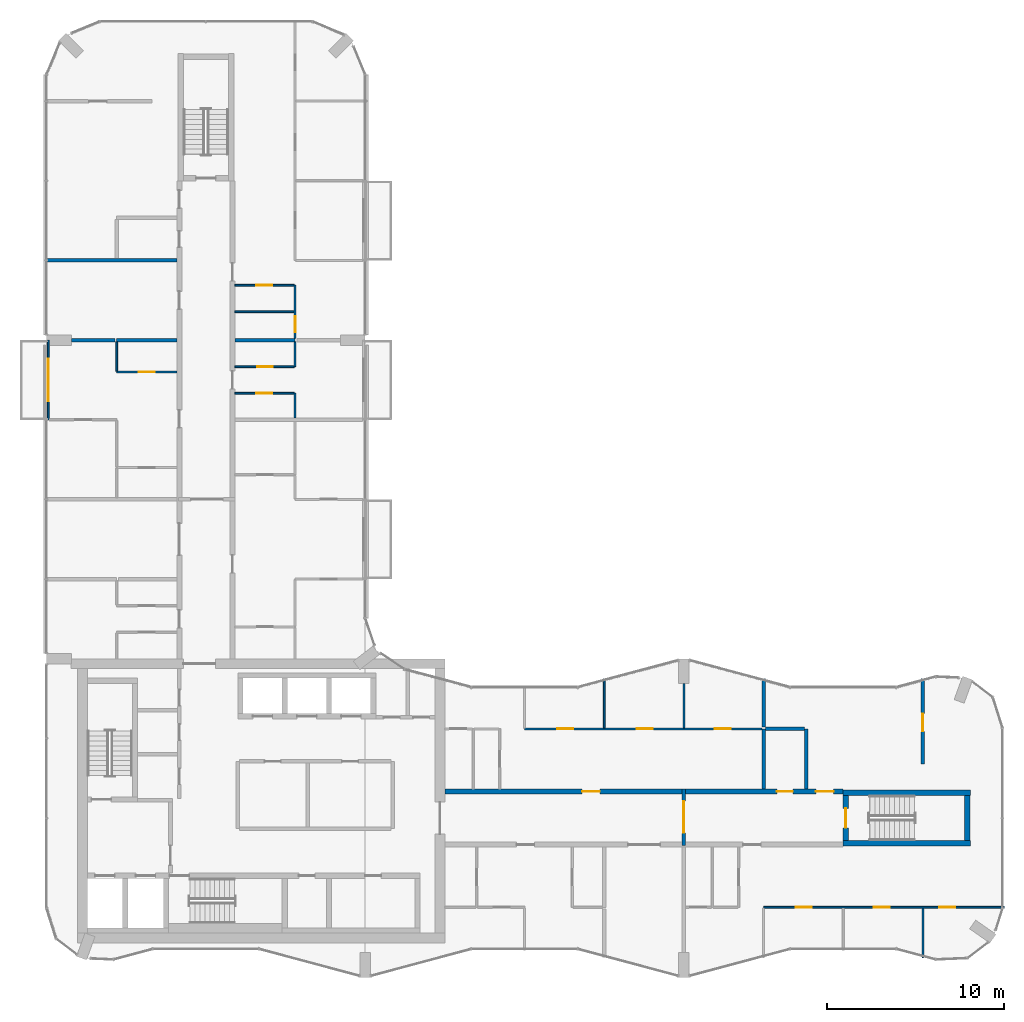
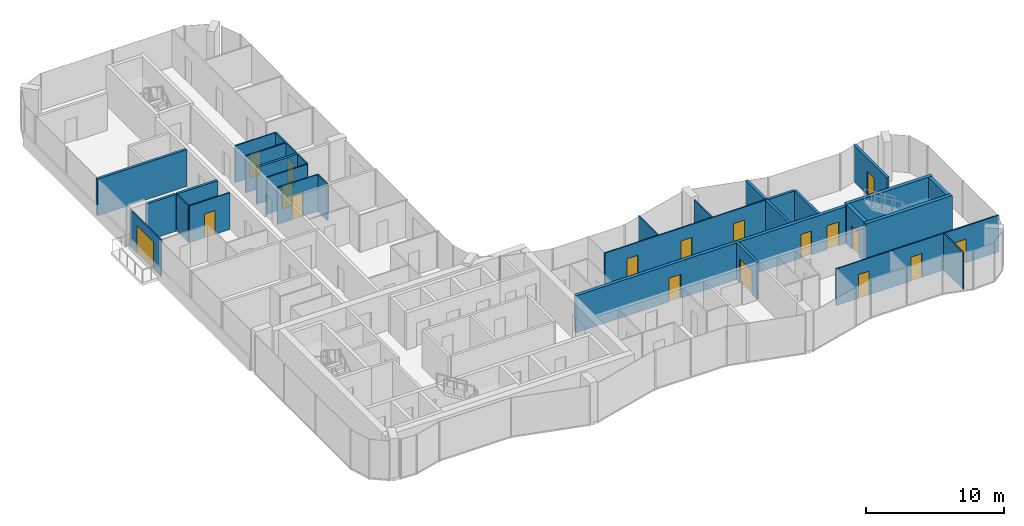
# One storey, part 12 of 15: 30 walls, 18 doors, 18 openings.
"""IFC4 building model written with IfcOpenShell, lengths in metres."""

from ifc_helpers import new_model, si_unit, direction, frame, frame_2d, origin, place, context, subcontext, project, spatial, rectangle, extrude, material, layer, layer_set, type_object, element, fill, save


model = new_model("IFC4")

# Units and contexts
model_context = context("Model", 3, precision=1e-05, world=origin(), true_north=direction((0.0, 1.0)))
body_context = subcontext(model_context, "Body", "Model", "MODEL_VIEW")
ifc_project = project(units=[si_unit("LENGTHUNIT", "METRE"), si_unit("AREAUNIT", "SQUARE_METRE"), si_unit("VOLUMEUNIT", "CUBIC_METRE"), si_unit("PLANEANGLEUNIT", "RADIAN"), si_unit("MASSUNIT", "GRAM", prefix="KILO")], contexts=[model_context])

# Site, building, storey
site_placement = place(None, origin())
site = spatial("IfcSite", under=ifc_project, at=site_placement, CompositionType="ELEMENT")
building_placement = place(site_placement, origin())
building = spatial("IfcBuilding", under=site, at=building_placement, Name="Plateau Cross Towers", CompositionType="ELEMENT")
storey_placement = place(building_placement, frame((0.0, 0.0, 201.39990234375)))
storey = spatial("IfcBuildingStorey", under=building, at=storey_placement, Name="L52", CompositionType="ELEMENT", Elevation=201.39990234375)

# Wall, opening, door
ifc_material_1 = material(Name="Aluminium framed glazing", Category="aluminium")
ifc_layer_1 = layer(ifc_material_1, 0.10009765625)
ifc_layer_set_1 = layer_set([ifc_layer_1], Name="Aluminium framed glazing")
wall_type_1 = type_object("IfcWallType", Name="Balcony screen wall 100", PredefinedType="STANDARD", material=ifc_layer_set_1)
wall_1_placement = place(storey_placement, frame((0.10009765625, 31.5, 0.0), z_axis=(0.0, 0.0, 1.0), x_axis=(0.0, 1.0, 0.0)))
wall_1 = element("IfcWall", 1, at=wall_1_placement, inside=storey, type_object=wall_type_1, Name="Balcony screen wall A-BAL-L52-01", PredefinedType="STANDARD", context=body_context, shape_type="SweptSolid", body=[
    extrude(rectangle(XDim=4.5, YDim=0.10009765625, at=frame_2d((2.25, 0.0))), origin(), (0.0, 0.0, 1.0), 3.25),
])
opening_1_placement = place(wall_1_placement, frame((1.050048828125, 0.0, 0.0)))
opening_1 = element("IfcOpeningElement", 2, at=opening_1_placement, cuts=wall_1, Name="Opening D-B24", PredefinedType="OPENING", context=body_context, shape_type="SweptSolid", body=[
    extrude(rectangle(XDim=2.39990234375, YDim=2.39990234375, at=frame_2d((1.199951171875, 1.199951171875))), frame((0.0, 0.06005859375, 0.0), z_axis=(0.0, -1.0, 0.0), x_axis=(1.0, 0.0, 0.0)), (0.0, 0.0, 1.0), 0.1201171875),
])
ifc_material_2 = material(Name="Aluminium frame, double glazing", Category="aluminium")
door_type_1 = type_object("IfcDoorType", Name="Balcony sliding door 2400", OperationType="NOTDEFINED", PredefinedType="DOOR", material=ifc_material_2)
door_1_placement = place(opening_1_placement, origin())
door_1 = element("IfcDoor", 3, at=door_1_placement, inside=storey, type_object=door_type_1, Name="Balcony door A-BAL-L52-01", OperationType="SINGLE_SWING_LEFT", OverallHeight=2.39990234375, OverallWidth=2.39990234375, PredefinedType="DOOR", context=body_context, shape_type="SweptSolid", body=[
    extrude(rectangle(XDim=2.39990234375, YDim=2.39990234375, at=frame_2d((1.199951171875, 1.199951171875))), frame((0.0, 0.02490234375, 0.0), z_axis=(0.0, -1.0, 0.0), x_axis=(1.0, 0.0, 0.0)), (0.0, 0.0, 1.0), 0.050048828125),
])
fill(opening_1, door_1)

# Wall, openings, doors
ifc_material_3 = material(Name="Concrete C60/75", Category="concrete")
ifc_layer_2 = layer(ifc_material_3, 0.27490234375)
ifc_layer_set_2 = layer_set([ifc_layer_2], Name="Concrete C60/75")
wall_type_2 = type_object("IfcWallType", Name="Corridor wall 275", PredefinedType="SHEAR", material=ifc_layer_set_2)
wall_2_placement = place(storey_placement, frame((22.5, 10.5, 0.0), z_axis=(0.0, 0.0, 1.0), x_axis=(1.0, 0.0, 0.0)))
wall_2 = element("IfcWall", 4, at=wall_2_placement, inside=storey, type_object=wall_type_2, Name="A-cw-S2@L52", PredefinedType="SHEAR", context=body_context, shape_type="SweptSolid", body=[
    extrude(rectangle(XDim=22.5, YDim=0.27490234375, at=frame_2d((11.25, 0.0))), origin(), (0.0, 0.0, 1.0), 3.25),
])
opening_2_placement = place(wall_2_placement, frame((7.75, 0.0, 0.0)))
opening_2 = element("IfcOpeningElement", 5, at=opening_2_placement, cuts=wall_2, Name="Opening 52-04", PredefinedType="OPENING", context=body_context, shape_type="SweptSolid", body=[
    extrude(rectangle(XDim=1.0, YDim=2.10009765625, at=frame_2d((0.5, 1.050048828125))), frame((0.0, 0.1474609375, 0.0), z_axis=(0.0, -1.0, 0.0), x_axis=(1.0, 0.0, 0.0)), (0.0, 0.0, 1.0), 0.294921875),
])
opening_3_placement = place(wall_2_placement, frame((18.75, 0.0, 0.0)))
opening_3 = element("IfcOpeningElement", 6, at=opening_3_placement, cuts=wall_2, Name="Opening 52-05", PredefinedType="OPENING", context=body_context, shape_type="SweptSolid", body=[
    extrude(rectangle(XDim=0.89990234375, YDim=2.10009765625, at=frame_2d((0.449951171875, 1.050048828125))), frame((0.0, 0.1474609375, 0.0), z_axis=(0.0, -1.0, 0.0), x_axis=(1.0, 0.0, 0.0)), (0.0, 0.0, 1.0), 0.294921875),
])
opening_4_placement = place(wall_2_placement, frame((20.949951171875, 0.0, 0.0)))
opening_4 = element("IfcOpeningElement", 7, at=opening_4_placement, cuts=wall_2, Name="Opening 52-06", PredefinedType="OPENING", context=body_context, shape_type="SweptSolid", body=[
    extrude(rectangle(XDim=1.0, YDim=2.10009765625, at=frame_2d((0.5, 1.050048828125))), frame((0.0, 0.1474609375, 0.0), z_axis=(0.0, -1.0, 0.0), x_axis=(1.0, 0.0, 0.0)), (0.0, 0.0, 1.0), 0.294921875),
])
ifc_material_4 = material(Name="Timber, fire-resisting leaf", Category="wood")
door_type_2 = type_object("IfcDoorType", Name="Flat entrance door 1000", OperationType="NOTDEFINED", PredefinedType="DOOR", material=ifc_material_4)
door_2_placement = place(opening_2_placement, origin())
door_2 = element("IfcDoor", 8, at=door_2_placement, inside=storey, type_object=door_type_2, Name="Door 52-04", OperationType="SINGLE_SWING_LEFT", OverallHeight=2.10009765625, OverallWidth=1.0, PredefinedType="DOOR", context=body_context, shape_type="SweptSolid", body=[
    extrude(rectangle(XDim=1.0, YDim=2.10009765625, at=frame_2d((0.5, 1.050048828125))), frame((0.0, 0.02490234375, 0.0), z_axis=(0.0, -1.0, 0.0), x_axis=(1.0, 0.0, 0.0)), (0.0, 0.0, 1.0), 0.050048828125),
])
fill(opening_2, door_2)
door_3_placement = place(opening_4_placement, origin())
door_3 = element("IfcDoor", 9, at=door_3_placement, inside=storey, type_object=door_type_2, Name="Door 52-06", OperationType="SINGLE_SWING_RIGHT", OverallHeight=2.10009765625, OverallWidth=1.0, PredefinedType="DOOR", context=body_context, shape_type="SweptSolid", body=[
    extrude(rectangle(XDim=1.0, YDim=2.10009765625, at=frame_2d((0.5, 1.050048828125))), frame((0.0, 0.02490234375, 0.0), z_axis=(0.0, -1.0, 0.0), x_axis=(1.0, 0.0, 0.0)), (0.0, 0.0, 1.0), 0.050048828125),
])
fill(opening_4, door_3)
door_type_3 = type_object("IfcDoorType", Name="Flat floor service door 900", OperationType="NOTDEFINED", PredefinedType="DOOR", material=ifc_material_4)
door_4_placement = place(opening_3_placement, origin())
door_4 = element("IfcDoor", 10, at=door_4_placement, inside=storey, type_object=door_type_3, Name="Door 52-05", OperationType="SINGLE_SWING_RIGHT", OverallHeight=2.10009765625, OverallWidth=0.89990234375, PredefinedType="DOOR", context=body_context, shape_type="SweptSolid", body=[
    extrude(rectangle(XDim=0.89990234375, YDim=2.10009765625, at=frame_2d((0.449951171875, 1.050048828125))), frame((0.0, 0.02490234375, 0.0), z_axis=(0.0, -1.0, 0.0), x_axis=(1.0, 0.0, 0.0)), (0.0, 0.0, 1.0), 0.050048828125),
])
fill(opening_3, door_4)

ifc_material_5 = material(Name="Gypsum board on steel studs", Category="steel")
ifc_layer_3 = layer(ifc_material_5, 0.10009765625)
ifc_layer_set_3 = layer_set([ifc_layer_3], Name="Gypsum board on steel studs")
wall_type_3 = type_object("IfcWallType", Name="Flat partition 100", PredefinedType="PARTITIONING", material=ifc_layer_set_3)
wall_3_placement = place(storey_placement, frame((54.080078125, 3.96240234375, 0.0), z_axis=(0.0, 0.0, 1.0), x_axis=(-1.0, 0.0, 0.0)))
wall_3 = element("IfcWall", 11, at=wall_3_placement, inside=storey, type_object=wall_type_3, Name="Partition wall", PredefinedType="PARTITIONING", context=body_context, shape_type="SweptSolid", body=[
    extrude(rectangle(XDim=13.580078125, YDim=0.10009765625, at=frame_2d((6.7900390625, 0.0))), origin(), (0.0, 0.0, 1.0), 3.25),
])
opening_5_placement = place(wall_3_placement, frame((10.85009765625, 0.0, 0.0)))
opening_5 = element("IfcOpeningElement", 12, at=opening_5_placement, cuts=wall_3, Name="Opening 52-25", PredefinedType="OPENING", context=body_context, shape_type="SweptSolid", body=[
    extrude(rectangle(XDim=0.89990234375, YDim=2.10009765625, at=frame_2d((0.449951171875, 1.050048828125))), frame((0.0, 0.06005859375, 0.0), z_axis=(0.0, -1.0, 0.0), x_axis=(1.0, 0.0, 0.0)), (0.0, 0.0, 1.0), 0.1201171875),
])
opening_6_placement = place(wall_3_placement, frame((6.449951171875, 0.0, 0.0)))
opening_6 = element("IfcOpeningElement", 13, at=opening_6_placement, cuts=wall_3, Name="Opening 52-26", PredefinedType="OPENING", context=body_context, shape_type="SweptSolid", body=[
    extrude(rectangle(XDim=0.89990234375, YDim=2.10009765625, at=frame_2d((0.449951171875, 1.050048828125))), frame((0.0, 0.06005859375, 0.0), z_axis=(0.0, -1.0, 0.0), x_axis=(1.0, 0.0, 0.0)), (0.0, 0.0, 1.0), 0.1201171875),
])
opening_7_placement = place(wall_3_placement, frame((2.75, 0.0, 0.0)))
opening_7 = element("IfcOpeningElement", 14, at=opening_7_placement, cuts=wall_3, Name="Opening 52-27", PredefinedType="OPENING", context=body_context, shape_type="SweptSolid", body=[
    extrude(rectangle(XDim=0.89990234375, YDim=2.10009765625, at=frame_2d((0.449951171875, 1.050048828125))), frame((0.0, 0.06005859375, 0.0), z_axis=(0.0, -1.0, 0.0), x_axis=(1.0, 0.0, 0.0)), (0.0, 0.0, 1.0), 0.1201171875),
])
ifc_material_6 = material(Name="Timber leaf", Category="wood")
door_type_4 = type_object("IfcDoorType", Name="Flat room door 900", OperationType="NOTDEFINED", PredefinedType="DOOR", material=ifc_material_6)
door_5_placement = place(opening_5_placement, origin())
door_5 = element("IfcDoor", 15, at=door_5_placement, inside=storey, type_object=door_type_4, Name="Door 52-25", OperationType="SINGLE_SWING_RIGHT", OverallHeight=2.10009765625, OverallWidth=0.89990234375, PredefinedType="DOOR", context=body_context, shape_type="SweptSolid", body=[
    extrude(rectangle(XDim=0.89990234375, YDim=2.10009765625, at=frame_2d((0.449951171875, 1.050048828125))), frame((0.0, 0.02490234375, 0.0), z_axis=(0.0, -1.0, 0.0), x_axis=(1.0, 0.0, 0.0)), (0.0, 0.0, 1.0), 0.050048828125),
])
fill(opening_5, door_5)
door_6_placement = place(opening_6_placement, origin())
door_6 = element("IfcDoor", 16, at=door_6_placement, inside=storey, type_object=door_type_4, Name="Door 52-26", OperationType="SINGLE_SWING_RIGHT", OverallHeight=2.10009765625, OverallWidth=0.89990234375, PredefinedType="DOOR", context=body_context, shape_type="SweptSolid", body=[
    extrude(rectangle(XDim=0.89990234375, YDim=2.10009765625, at=frame_2d((0.449951171875, 1.050048828125))), frame((0.0, 0.02490234375, 0.0), z_axis=(0.0, -1.0, 0.0), x_axis=(1.0, 0.0, 0.0)), (0.0, 0.0, 1.0), 0.050048828125),
])
fill(opening_6, door_6)
door_7_placement = place(opening_7_placement, origin())
door_7 = element("IfcDoor", 17, at=door_7_placement, inside=storey, type_object=door_type_4, Name="Door 52-27", OperationType="SINGLE_SWING_LEFT", OverallHeight=2.10009765625, OverallWidth=0.89990234375, PredefinedType="DOOR", context=body_context, shape_type="SweptSolid", body=[
    extrude(rectangle(XDim=0.89990234375, YDim=2.10009765625, at=frame_2d((0.449951171875, 1.050048828125))), frame((0.0, 0.02490234375, 0.0), z_axis=(0.0, -1.0, 0.0), x_axis=(1.0, 0.0, 0.0)), (0.0, 0.0, 1.0), 0.050048828125),
])
fill(opening_7, door_7)

wall_4_placement = place(storey_placement, frame((27.0, 14.03759765625, 0.0), z_axis=(0.0, 0.0, 1.0), x_axis=(1.0, 0.0, 0.0)))
wall_4 = element("IfcWall", 18, at=wall_4_placement, inside=storey, type_object=wall_type_3, Name="Partition wall", PredefinedType="PARTITIONING", context=body_context, shape_type="SweptSolid", body=[
    extrude(rectangle(XDim=13.39990234375, YDim=0.10009765625, at=frame_2d((6.699951171875, 0.0))), origin(), (0.0, 0.0, 1.0), 3.25),
])
opening_8_placement = place(wall_4_placement, frame((1.85009765625, 0.0, 0.0)))
opening_8 = element("IfcOpeningElement", 19, at=opening_8_placement, cuts=wall_4, Name="Opening 52-30", PredefinedType="OPENING", context=body_context, shape_type="SweptSolid", body=[
    extrude(rectangle(XDim=0.89990234375, YDim=2.10009765625, at=frame_2d((0.449951171875, 1.050048828125))), frame((0.0, 0.06005859375, 0.0), z_axis=(0.0, -1.0, 0.0), x_axis=(1.0, 0.0, 0.0)), (0.0, 0.0, 1.0), 0.1201171875),
])
opening_9_placement = place(wall_4_placement, frame((6.35009765625, 0.0, 0.0)))
opening_9 = element("IfcOpeningElement", 20, at=opening_9_placement, cuts=wall_4, Name="Opening 52-31", PredefinedType="OPENING", context=body_context, shape_type="SweptSolid", body=[
    extrude(rectangle(XDim=0.89990234375, YDim=2.10009765625, at=frame_2d((0.449951171875, 1.050048828125))), frame((0.0, 0.06005859375, 0.0), z_axis=(0.0, -1.0, 0.0), x_axis=(1.0, 0.0, 0.0)), (0.0, 0.0, 1.0), 0.1201171875),
])
opening_10_placement = place(wall_4_placement, frame((10.75, 0.0, 0.0)))
opening_10 = element("IfcOpeningElement", 21, at=opening_10_placement, cuts=wall_4, Name="Opening 52-32", PredefinedType="OPENING", context=body_context, shape_type="SweptSolid", body=[
    extrude(rectangle(XDim=0.89990234375, YDim=2.10009765625, at=frame_2d((0.449951171875, 1.050048828125))), frame((0.0, 0.06005859375, 0.0), z_axis=(0.0, -1.0, 0.0), x_axis=(1.0, 0.0, 0.0)), (0.0, 0.0, 1.0), 0.1201171875),
])
door_8_placement = place(opening_8_placement, origin())
door_8 = element("IfcDoor", 22, at=door_8_placement, inside=storey, type_object=door_type_4, Name="Door 52-30", OperationType="SINGLE_SWING_LEFT", OverallHeight=2.10009765625, OverallWidth=0.89990234375, PredefinedType="DOOR", context=body_context, shape_type="SweptSolid", body=[
    extrude(rectangle(XDim=0.89990234375, YDim=2.10009765625, at=frame_2d((0.449951171875, 1.050048828125))), frame((0.0, 0.02490234375, 0.0), z_axis=(0.0, -1.0, 0.0), x_axis=(1.0, 0.0, 0.0)), (0.0, 0.0, 1.0), 0.050048828125),
])
fill(opening_8, door_8)
door_9_placement = place(opening_9_placement, origin())
door_9 = element("IfcDoor", 23, at=door_9_placement, inside=storey, type_object=door_type_4, Name="Door 52-31", OperationType="SINGLE_SWING_RIGHT", OverallHeight=2.10009765625, OverallWidth=0.89990234375, PredefinedType="DOOR", context=body_context, shape_type="SweptSolid", body=[
    extrude(rectangle(XDim=0.89990234375, YDim=2.10009765625, at=frame_2d((0.449951171875, 1.050048828125))), frame((0.0, 0.02490234375, 0.0), z_axis=(0.0, -1.0, 0.0), x_axis=(1.0, 0.0, 0.0)), (0.0, 0.0, 1.0), 0.050048828125),
])
fill(opening_9, door_9)
door_10_placement = place(opening_10_placement, origin())
door_10 = element("IfcDoor", 24, at=door_10_placement, inside=storey, type_object=door_type_4, Name="Door 52-32", OperationType="SINGLE_SWING_RIGHT", OverallHeight=2.10009765625, OverallWidth=0.89990234375, PredefinedType="DOOR", context=body_context, shape_type="SweptSolid", body=[
    extrude(rectangle(XDim=0.89990234375, YDim=2.10009765625, at=frame_2d((0.449951171875, 1.050048828125))), frame((0.0, 0.02490234375, 0.0), z_axis=(0.0, -1.0, 0.0), x_axis=(1.0, 0.0, 0.0)), (0.0, 0.0, 1.0), 0.050048828125),
])
fill(opening_10, door_10)

# Wall, opening, door
wall_5_placement = place(storey_placement, frame((13.987548828125, 33.0, 0.0), z_axis=(0.0, 0.0, 1.0), x_axis=(-1.0, 0.0, 0.0)))
wall_5 = element("IfcWall", 25, at=wall_5_placement, inside=storey, type_object=wall_type_3, Name="Partition wall", PredefinedType="PARTITIONING", context=body_context, shape_type="SweptSolid", body=[
    extrude(rectangle(XDim=3.35009765625, YDim=0.10009765625, at=frame_2d((1.675048828125, 0.0))), origin(), (0.0, 0.0, 1.0), 3.25),
])
opening_11_placement = place(wall_5_placement, frame((1.25, 0.0, 0.0)))
opening_11 = element("IfcOpeningElement", 26, at=opening_11_placement, cuts=wall_5, Name="Opening 52-42", PredefinedType="OPENING", context=body_context, shape_type="SweptSolid", body=[
    extrude(rectangle(XDim=0.89990234375, YDim=2.10009765625, at=frame_2d((0.449951171875, 1.050048828125))), frame((0.0, 0.06005859375, 0.0), z_axis=(0.0, -1.0, 0.0), x_axis=(1.0, 0.0, 0.0)), (0.0, 0.0, 1.0), 0.1201171875),
])
door_11_placement = place(opening_11_placement, origin())
door_11 = element("IfcDoor", 27, at=door_11_placement, inside=storey, type_object=door_type_4, Name="Door 52-42", OperationType="SINGLE_SWING_RIGHT", OverallHeight=2.10009765625, OverallWidth=0.89990234375, PredefinedType="DOOR", context=body_context, shape_type="SweptSolid", body=[
    extrude(rectangle(XDim=0.89990234375, YDim=2.10009765625, at=frame_2d((0.449951171875, 1.050048828125))), frame((0.0, 0.02490234375, 0.0), z_axis=(0.0, -1.0, 0.0), x_axis=(1.0, 0.0, 0.0)), (0.0, 0.0, 1.0), 0.050048828125),
])
fill(opening_11, door_11)

wall_6_placement = place(storey_placement, frame((3.96240234375, 34.199951171875, 0.0), z_axis=(0.0, 0.0, 1.0), x_axis=(1.0, 0.0, 0.0)))
wall_6 = element("IfcWall", 28, at=wall_6_placement, inside=storey, type_object=wall_type_3, Name="Partition wall", PredefinedType="PARTITIONING", context=body_context, shape_type="SweptSolid", body=[
    extrude(rectangle(XDim=3.400146484375, YDim=0.10009765625, at=frame_2d((1.7001953125, 0.0))), origin(), (0.0, 0.0, 1.0), 3.25),
])
opening_12_placement = place(wall_6_placement, frame((1.25, 0.0, 0.0)))
opening_12 = element("IfcOpeningElement", 29, at=opening_12_placement, cuts=wall_6, Name="Opening 52-36", PredefinedType="OPENING", context=body_context, shape_type="SweptSolid", body=[
    extrude(rectangle(XDim=0.89990234375, YDim=2.10009765625, at=frame_2d((0.449951171875, 1.050048828125))), frame((0.0, 0.06005859375, 0.0), z_axis=(0.0, -1.0, 0.0), x_axis=(1.0, 0.0, 0.0)), (0.0, 0.0, 1.0), 0.1201171875),
])
door_12_placement = place(opening_12_placement, origin())
door_12 = element("IfcDoor", 30, at=door_12_placement, inside=storey, type_object=door_type_4, Name="Door 52-36", OperationType="SINGLE_SWING_LEFT", OverallHeight=2.10009765625, OverallWidth=0.89990234375, PredefinedType="DOOR", context=body_context, shape_type="SweptSolid", body=[
    extrude(rectangle(XDim=0.89990234375, YDim=2.10009765625, at=frame_2d((0.449951171875, 1.050048828125))), frame((0.0, 0.02490234375, 0.0), z_axis=(0.0, -1.0, 0.0), x_axis=(1.0, 0.0, 0.0)), (0.0, 0.0, 1.0), 0.050048828125),
])
fill(opening_12, door_12)

wall_7_placement = place(storey_placement, frame((10.637451171875, 34.5, 0.0), z_axis=(0.0, 0.0, 1.0), x_axis=(1.0, 0.0, 0.0)))
wall_7 = element("IfcWall", 31, at=wall_7_placement, inside=storey, type_object=wall_type_3, Name="Partition wall", PredefinedType="PARTITIONING", context=body_context, shape_type="SweptSolid", body=[
    extrude(rectangle(XDim=3.35009765625, YDim=0.10009765625, at=frame_2d((1.675048828125, 0.0))), origin(), (0.0, 0.0, 1.0), 3.25),
])
opening_13_placement = place(wall_7_placement, frame((1.25, 0.0, 0.0)))
opening_13 = element("IfcOpeningElement", 32, at=opening_13_placement, cuts=wall_7, Name="Opening 52-43", PredefinedType="OPENING", context=body_context, shape_type="SweptSolid", body=[
    extrude(rectangle(XDim=0.89990234375, YDim=2.10009765625, at=frame_2d((0.449951171875, 1.050048828125))), frame((0.0, 0.06005859375, 0.0), z_axis=(0.0, -1.0, 0.0), x_axis=(1.0, 0.0, 0.0)), (0.0, 0.0, 1.0), 0.1201171875),
])
door_13_placement = place(opening_13_placement, origin())
door_13 = element("IfcDoor", 33, at=door_13_placement, inside=storey, type_object=door_type_4, Name="Door 52-43", OperationType="SINGLE_SWING_RIGHT", OverallHeight=2.10009765625, OverallWidth=0.89990234375, PredefinedType="DOOR", context=body_context, shape_type="SweptSolid", body=[
    extrude(rectangle(XDim=0.89990234375, YDim=2.10009765625, at=frame_2d((0.449951171875, 1.050048828125))), frame((0.0, 0.02490234375, 0.0), z_axis=(0.0, -1.0, 0.0), x_axis=(1.0, 0.0, 0.0)), (0.0, 0.0, 1.0), 0.050048828125),
])
fill(opening_13, door_13)

# Wall
wall_8_placement = place(storey_placement, frame((13.987548828125, 37.60009765625, 0.0), z_axis=(0.0, 0.0, 1.0), x_axis=(-1.0, 0.0, 0.0)))
element("IfcWall", 34, at=wall_8_placement, inside=storey, type_object=wall_type_3, Name="Partition wall", PredefinedType="PARTITIONING", context=body_context, shape_type="SweptSolid", body=[
    extrude(rectangle(XDim=3.35009765625, YDim=0.10009765625, at=frame_2d((1.675048828125, 0.0))), origin(), (0.0, 0.0, 1.0), 3.25),
])

# Wall, opening, door
wall_9_placement = place(storey_placement, frame((13.987548828125, 39.10009765625, 0.0), z_axis=(0.0, 0.0, 1.0), x_axis=(-1.0, 0.0, 0.0)))
wall_9 = element("IfcWall", 35, at=wall_9_placement, inside=storey, type_object=wall_type_3, Name="Partition wall", PredefinedType="PARTITIONING", context=body_context, shape_type="SweptSolid", body=[
    extrude(rectangle(XDim=3.35009765625, YDim=0.10009765625, at=frame_2d((1.675048828125, 0.0))), origin(), (0.0, 0.0, 1.0), 3.25),
])
opening_14_placement = place(wall_9_placement, frame((1.25, 0.0, 0.0)))
opening_14 = element("IfcOpeningElement", 36, at=opening_14_placement, cuts=wall_9, Name="Opening 52-45", PredefinedType="OPENING", context=body_context, shape_type="SweptSolid", body=[
    extrude(rectangle(XDim=0.89990234375, YDim=2.10009765625, at=frame_2d((0.449951171875, 1.050048828125))), frame((0.0, 0.06005859375, 0.0), z_axis=(0.0, -1.0, 0.0), x_axis=(1.0, 0.0, 0.0)), (0.0, 0.0, 1.0), 0.1201171875),
])
door_14_placement = place(opening_14_placement, origin())
door_14 = element("IfcDoor", 37, at=door_14_placement, inside=storey, type_object=door_type_4, Name="Door 52-45", OperationType="SINGLE_SWING_RIGHT", OverallHeight=2.10009765625, OverallWidth=0.89990234375, PredefinedType="DOOR", context=body_context, shape_type="SweptSolid", body=[
    extrude(rectangle(XDim=0.89990234375, YDim=2.10009765625, at=frame_2d((0.449951171875, 1.050048828125))), frame((0.0, 0.02490234375, 0.0), z_axis=(0.0, -1.0, 0.0), x_axis=(1.0, 0.0, 0.0)), (0.0, 0.0, 1.0), 0.050048828125),
])
fill(opening_14, door_14)

# Walls
wall_10_placement = place(storey_placement, frame((3.96240234375, 35.89990234375, 0.0), z_axis=(0.0, 0.0, 1.0), x_axis=(0.0, -1.0, 0.0)))
element("IfcWall", 38, at=wall_10_placement, inside=storey, type_object=wall_type_3, Name="Partition wall", PredefinedType="PARTITIONING", context=body_context, shape_type="SweptSolid", body=[
    extrude(rectangle(XDim=1.64990234375, YDim=0.10009765625, at=frame_2d((0.824951171875, 0.0))), origin(), (0.0, 0.0, 1.0), 3.25),
])
for number, where, z_axis, x_axis, name in (
    (39, (14.03759765625, 31.60009765625, 0.0), (0.0, 0.0, 1.0), (0.0, 1.0, 0.0), "Partition wall"),
    (40, (14.03759765625, 34.5, 0.0), (0.0, 0.0, 1.0), (0.0, 1.0, 0.0), "Partition wall"),
):
    element("IfcWall", number, at=place(storey_placement, frame(where, z_axis=z_axis, x_axis=x_axis)), inside=storey, type_object=wall_type_3, Name=name, PredefinedType="PARTITIONING", context=body_context, shape_type="SweptSolid", body=[
        extrude(rectangle(XDim=1.39990234375, YDim=0.10009765625, at=frame_2d((0.699951171875, 0.0))), origin(), (0.0, 0.0, 1.0), 3.25),
    ])

# Wall, opening, door
wall_11_placement = place(storey_placement, frame((14.03759765625, 36.10009765625, 0.0), z_axis=(0.0, 0.0, 1.0), x_axis=(0.0, 1.0, 0.0)))
wall_11 = element("IfcWall", 41, at=wall_11_placement, inside=storey, type_object=wall_type_3, Name="Partition wall", PredefinedType="PARTITIONING", context=body_context, shape_type="SweptSolid", body=[
    extrude(rectangle(XDim=3.0, YDim=0.10009765625, at=frame_2d((1.5, 0.0))), origin(), (0.0, 0.0, 1.0), 3.25),
])
opening_15_placement = place(wall_11_placement, frame((0.35009765625, 0.0, 0.0)))
opening_15 = element("IfcOpeningElement", 42, at=opening_15_placement, cuts=wall_11, Name="Opening 52-44", PredefinedType="OPENING", context=body_context, shape_type="SweptSolid", body=[
    extrude(rectangle(XDim=0.89990234375, YDim=2.10009765625, at=frame_2d((0.449951171875, 1.050048828125))), frame((0.0, 0.06005859375, 0.0), z_axis=(0.0, -1.0, 0.0), x_axis=(1.0, 0.0, 0.0)), (0.0, 0.0, 1.0), 0.1201171875),
])
door_15_placement = place(opening_15_placement, origin())
door_15 = element("IfcDoor", 43, at=door_15_placement, inside=storey, type_object=door_type_4, Name="Door 52-44", OperationType="SINGLE_SWING_LEFT", OverallHeight=2.10009765625, OverallWidth=0.89990234375, PredefinedType="DOOR", context=body_context, shape_type="SweptSolid", body=[
    extrude(rectangle(XDim=0.89990234375, YDim=2.10009765625, at=frame_2d((0.449951171875, 1.050048828125))), frame((0.0, 0.02490234375, 0.0), z_axis=(0.0, -1.0, 0.0), x_axis=(1.0, 0.0, 0.0)), (0.0, 0.0, 1.0), 0.050048828125),
])
fill(opening_15, door_15)

# Walls
wall_12_placement = place(storey_placement, frame((31.5, 14.08740234375, 0.0), z_axis=(0.0, 0.0, 1.0), x_axis=(0.0, 1.0, 0.0)))
element("IfcWall", 44, at=wall_12_placement, inside=storey, type_object=wall_type_3, Name="Partition wall", PredefinedType="PARTITIONING", context=body_context, shape_type="SweptSolid", body=[
    extrude(rectangle(XDim=2.790283203125, YDim=0.10009765625, at=frame_2d((1.39501953125, 0.0))), origin(), (0.0, 0.0, 1.0), 3.25),
])
wall_13_placement = place(storey_placement, frame((36.0, 14.08740234375, 0.0), z_axis=(0.0, 0.0, 1.0), x_axis=(0.0, 1.0, 0.0)))
element("IfcWall", 45, at=wall_13_placement, inside=storey, type_object=wall_type_3, Name="Partition wall", PredefinedType="PARTITIONING", context=body_context, shape_type="SweptSolid", body=[
    extrude(rectangle(XDim=2.5126953125, YDim=0.10009765625, at=frame_2d((1.25634765625, 0.0))), origin(), (0.0, 0.0, 1.0), 3.25),
])
wall_14_placement = place(storey_placement, frame((49.5, 1.122314453125, 0.0), z_axis=(0.0, 0.0, 1.0), x_axis=(0.0, 1.0, 0.0)))
element("IfcWall", 46, at=wall_14_placement, inside=storey, type_object=wall_type_3, Name="Partition wall", PredefinedType="PARTITIONING", context=body_context, shape_type="SweptSolid", body=[
    extrude(rectangle(XDim=2.790283203125, YDim=0.10009765625, at=frame_2d((1.39501953125, 0.0))), origin(), (0.0, 0.0, 1.0), 3.25),
])
ifc_material_7 = material(Name="Gypsum board on steel studs, two layers each side", Category="steel")
ifc_layer_4 = layer(ifc_material_7, 0.199951171875)
ifc_layer_set_4 = layer_set([ifc_layer_4], Name="Gypsum board on steel studs, two layers each side")
wall_type_4 = type_object("IfcWallType", Name="Flat party wall 200", PredefinedType="PARTITIONING", material=ifc_layer_set_4)
wall_15_placement = place(storey_placement, frame((42.800048828125, 14.03759765625, 0.0), z_axis=(0.0, 0.0, 1.0), x_axis=(-1.0, 0.0, 0.0)))
element("IfcWall", 47, at=wall_15_placement, inside=storey, type_object=wall_type_4, Name="Party wall", PredefinedType="PARTITIONING", context=body_context, shape_type="SweptSolid", body=[
    extrude(rectangle(XDim=2.199951171875, YDim=0.199951171875, at=frame_2d((1.10009765625, 0.0))), origin(), (0.0, 0.0, 1.0), 3.25),
])
for number, where, z_axis, x_axis, name in (
    (48, (7.362548828125, 36.0, 0.0), (0.0, 0.0, 1.0), (-1.0, 0.0, 0.0), "Party wall"),
    (49, (14.03759765625, 36.0, 0.0), (0.0, 0.0, 1.0), (-1.0, 0.0, 0.0), "Party wall"),
):
    element("IfcWall", number, at=place(storey_placement, frame(where, z_axis=z_axis, x_axis=x_axis)), inside=storey, type_object=wall_type_4, Name=name, PredefinedType="PARTITIONING", context=body_context, shape_type="SweptSolid", body=[
        extrude(rectangle(XDim=3.400146484375, YDim=0.199951171875, at=frame_2d((1.7001953125, 0.0))), origin(), (0.0, 0.0, 1.0), 3.25),
    ])
wall_16_placement = place(storey_placement, frame((1.39990234375, 36.0, 0.0), z_axis=(0.0, 0.0, 1.0), x_axis=(1.0, 0.0, 0.0)))
element("IfcWall", 50, at=wall_16_placement, inside=storey, type_object=wall_type_4, Name="Party wall", PredefinedType="PARTITIONING", context=body_context, shape_type="SweptSolid", body=[
    extrude(rectangle(XDim=2.462646484375, YDim=0.199951171875, at=frame_2d((1.2314453125, 0.0))), origin(), (0.0, 0.0, 1.0), 3.25),
])
wall_17_placement = place(storey_placement, frame((7.362548828125, 40.5, 0.0), z_axis=(0.0, 0.0, 1.0), x_axis=(-1.0, 0.0, 0.0)))
element("IfcWall", 51, at=wall_17_placement, inside=storey, type_object=wall_type_4, Name="Party wall", PredefinedType="PARTITIONING", context=body_context, shape_type="SweptSolid", body=[
    extrude(rectangle(XDim=7.442626953125, YDim=0.199951171875, at=frame_2d((3.72119140625, 0.0))), origin(), (0.0, 0.0, 1.0), 3.25),
])
wall_18_placement = place(storey_placement, frame((40.5, 14.03759765625, 0.0), z_axis=(0.0, 0.0, 1.0), x_axis=(0.0, -1.0, 0.0)))
element("IfcWall", 52, at=wall_18_placement, inside=storey, type_object=wall_type_4, Name="Party wall", PredefinedType="PARTITIONING", context=body_context, shape_type="SweptSolid", body=[
    extrude(rectangle(XDim=3.400146484375, YDim=0.199951171875, at=frame_2d((1.7001953125, 0.0))), origin(), (0.0, 0.0, 1.0), 3.25),
])
wall_19_placement = place(storey_placement, frame((40.5, 14.137451171875, 0.0), z_axis=(0.0, 0.0, 1.0), x_axis=(0.0, 1.0, 0.0)))
element("IfcWall", 53, at=wall_19_placement, inside=storey, type_object=wall_type_4, Name="Party wall", PredefinedType="PARTITIONING", context=body_context, shape_type="SweptSolid", body=[
    extrude(rectangle(XDim=2.740234375, YDim=0.199951171875, at=frame_2d((1.3701171875, 0.0))), origin(), (0.0, 0.0, 1.0), 3.25),
])
wall_20_placement = place(storey_placement, frame((42.89990234375, 10.637451171875, 0.0), z_axis=(0.0, 0.0, 1.0), x_axis=(0.0, 1.0, 0.0)))
element("IfcWall", 54, at=wall_20_placement, inside=storey, type_object=wall_type_4, Name="Party wall", PredefinedType="PARTITIONING", context=body_context, shape_type="SweptSolid", body=[
    extrude(rectangle(XDim=3.400146484375, YDim=0.199951171875, at=frame_2d((1.7001953125, 0.0))), origin(), (0.0, 0.0, 1.0), 3.25),
])

# Wall, opening, door
wall_21_placement = place(storey_placement, frame((49.5, 12.050048828125, 0.0), z_axis=(0.0, 0.0, 1.0), x_axis=(0.0, 1.0, 0.0)))
wall_21 = element("IfcWall", 55, at=wall_21_placement, inside=storey, type_object=wall_type_4, Name="Party wall", PredefinedType="PARTITIONING", context=body_context, shape_type="SweptSolid", body=[
    extrude(rectangle(XDim=4.82763671875, YDim=0.199951171875, at=frame_2d((2.413818359375, 0.0))), origin(), (0.0, 0.0, 1.0), 3.25),
])
opening_16_placement = place(wall_21_placement, frame((1.85009765625, 0.0, 0.0)))
opening_16 = element("IfcOpeningElement", 56, at=opening_16_placement, cuts=wall_21, Name="Opening 52-18", PredefinedType="OPENING", context=body_context, shape_type="SweptSolid", body=[
    extrude(rectangle(XDim=1.0, YDim=2.10009765625, at=frame_2d((0.5, 1.050048828125))), frame((0.0, 0.10986328125, 0.0), z_axis=(0.0, -1.0, 0.0), x_axis=(1.0, 0.0, 0.0)), (0.0, 0.0, 1.0), 0.219970703125),
])
door_16_placement = place(opening_16_placement, origin())
door_16 = element("IfcDoor", 57, at=door_16_placement, inside=storey, type_object=door_type_2, Name="Door 52-18", OperationType="SINGLE_SWING_LEFT", OverallHeight=2.10009765625, OverallWidth=1.0, PredefinedType="DOOR", context=body_context, shape_type="SweptSolid", body=[
    extrude(rectangle(XDim=1.0, YDim=2.10009765625, at=frame_2d((0.5, 1.050048828125))), frame((0.0, 0.02490234375, 0.0), z_axis=(0.0, -1.0, 0.0), x_axis=(1.0, 0.0, 0.0)), (0.0, 0.0, 1.0), 0.050048828125),
])
fill(opening_16, door_16)

wall_22_placement = place(storey_placement, frame((36.0, 7.46240234375, 0.0), z_axis=(0.0, 0.0, 1.0), x_axis=(0.0, 1.0, 0.0)))
wall_22 = element("IfcWall", 58, at=wall_22_placement, inside=storey, type_object=wall_type_4, Name="Party wall", PredefinedType="PARTITIONING", context=body_context, shape_type="SweptSolid", body=[
    extrude(rectangle(XDim=3.175048828125, YDim=0.199951171875, at=frame_2d((1.58740234375, 0.0))), origin(), (0.0, 0.0, 1.0), 3.25),
])
opening_17_placement = place(wall_22_placement, frame((0.699951171875, 0.0, 0.0)))
opening_17 = element("IfcOpeningElement", 59, at=opening_17_placement, cuts=wall_22, Name="Opening 52-16", PredefinedType="OPENING", context=body_context, shape_type="SweptSolid", body=[
    extrude(rectangle(XDim=1.800048828125, YDim=2.10009765625, at=frame_2d((0.89990234375, 1.050048828125))), frame((0.0, 0.10986328125, 0.0), z_axis=(0.0, -1.0, 0.0), x_axis=(1.0, 0.0, 0.0)), (0.0, 0.0, 1.0), 0.219970703125),
])
ifc_material_8 = material(Name="Timber, fire-resisting leaves", Category="wood")
door_type_5 = type_object("IfcDoorType", Name="Flat floor fire door pair 1800", OperationType="NOTDEFINED", PredefinedType="DOOR", material=ifc_material_8)
door_17_placement = place(opening_17_placement, origin())
door_17 = element("IfcDoor", 60, at=door_17_placement, inside=storey, type_object=door_type_5, Name="Door 52-16", OperationType="SINGLE_SWING_RIGHT", OverallHeight=2.10009765625, OverallWidth=1.800048828125, PredefinedType="DOOR", context=body_context, shape_type="SweptSolid", body=[
    extrude(rectangle(XDim=1.800048828125, YDim=2.10009765625, at=frame_2d((0.89990234375, 1.050048828125))), frame((0.0, 0.02490234375, 0.0), z_axis=(0.0, -1.0, 0.0), x_axis=(1.0, 0.0, 0.0)), (0.0, 0.0, 1.0), 0.050048828125),
])
fill(opening_17, door_17)

ifc_layer_5 = layer(ifc_material_3, 0.300048828125)
ifc_layer_set_5 = layer_set([ifc_layer_5], Name="Concrete C60/75")
wall_type_5 = type_object("IfcWallType", Name="Stair tower wall 300", PredefinedType="SHEAR", material=ifc_layer_set_5)
wall_23_placement = place(storey_placement, frame((45.14990234375, 7.72509765625, 0.0), z_axis=(0.0, 0.0, 1.0), x_axis=(0.0, 1.0, 0.0)))
wall_23 = element("IfcWall", 61, at=wall_23_placement, inside=storey, type_object=wall_type_5, Name="A-end-E-W@L52", PredefinedType="SHEAR", context=body_context, shape_type="SweptSolid", body=[
    extrude(rectangle(XDim=2.5498046875, YDim=0.300048828125, at=frame_2d((1.27490234375, 0.0))), origin(), (0.0, 0.0, 1.0), 3.5),
])
opening_18_placement = place(wall_23_placement, frame((0.72509765625, 0.0, 0.0)))
opening_18 = element("IfcOpeningElement", 62, at=opening_18_placement, cuts=wall_23, Name="Opening SD", PredefinedType="OPENING", context=body_context, shape_type="SweptSolid", body=[
    extrude(rectangle(XDim=1.10009765625, YDim=2.10009765625, at=frame_2d((0.550048828125, 1.050048828125))), frame((0.0, 0.159912109375, 0.0), z_axis=(0.0, -1.0, 0.0), x_axis=(1.0, 0.0, 0.0)), (0.0, 0.0, 1.0), 0.320068359375),
])
ifc_material_9 = material(Name="Steel, fire-resisting leaf", Category="steel")
door_type_6 = type_object("IfcDoorType", Name="Stair door 1100", OperationType="NOTDEFINED", PredefinedType="DOOR", material=ifc_material_9)
door_18_placement = place(opening_18_placement, origin())
door_18 = element("IfcDoor", 63, at=door_18_placement, inside=storey, type_object=door_type_6, Name="Stair door SD", OperationType="SINGLE_SWING_LEFT", OverallHeight=2.10009765625, OverallWidth=1.10009765625, PredefinedType="DOOR", context=body_context, shape_type="SweptSolid", body=[
    extrude(rectangle(XDim=1.10009765625, YDim=2.10009765625, at=frame_2d((0.550048828125, 1.050048828125))), frame((0.0, 0.02490234375, 0.0), z_axis=(0.0, -1.0, 0.0), x_axis=(1.0, 0.0, 0.0)), (0.0, 0.0, 1.0), 0.050048828125),
])
fill(opening_18, door_18)

# Walls
wall_24_placement = place(storey_placement, frame((52.0, 7.72509765625, 0.0), z_axis=(0.0, 0.0, 1.0), x_axis=(0.0, 1.0, 0.0)))
element("IfcWall", 64, at=wall_24_placement, inside=storey, type_object=wall_type_5, Name="A-end-E-E@L52", PredefinedType="SHEAR", context=body_context, shape_type="SweptSolid", body=[
    extrude(rectangle(XDim=2.5498046875, YDim=0.300048828125, at=frame_2d((1.27490234375, 0.0))), origin(), (0.0, 0.0, 1.0), 3.5),
])
for number, where, z_axis, x_axis, name in (
    (65, (45.0, 7.574951171875, 0.0), (0.0, 0.0, 1.0), (1.0, 0.0, 0.0), "A-end-E-S@L52"),
    (66, (45.0, 10.425048828125, 0.0), (0.0, 0.0, 1.0), (1.0, 0.0, 0.0), "A-end-E-N@L52"),
):
    element("IfcWall", number, at=place(storey_placement, frame(where, z_axis=z_axis, x_axis=x_axis)), inside=storey, type_object=wall_type_5, Name=name, PredefinedType="SHEAR", context=body_context, shape_type="SweptSolid", body=[
        extrude(rectangle(XDim=7.199951171875, YDim=0.300048828125, at=frame_2d((3.60009765625, 0.0))), origin(), (0.0, 0.0, 1.0), 3.5),
    ])

save(model, "model.ifc")
